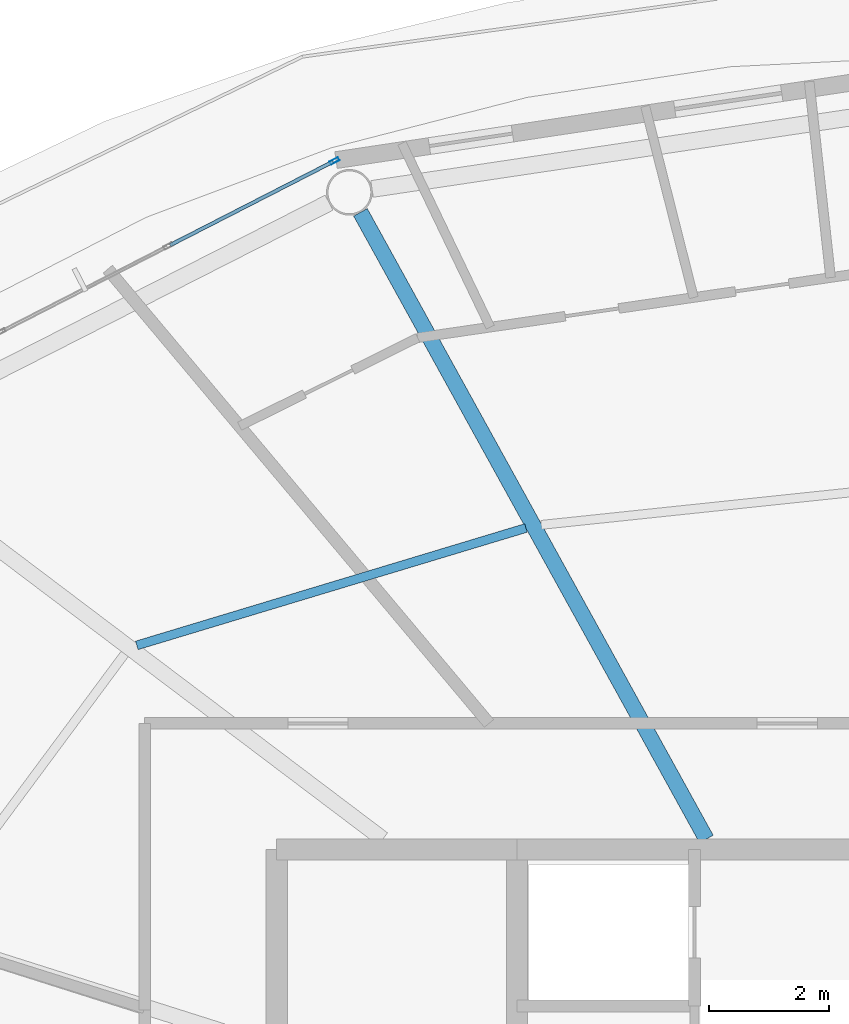
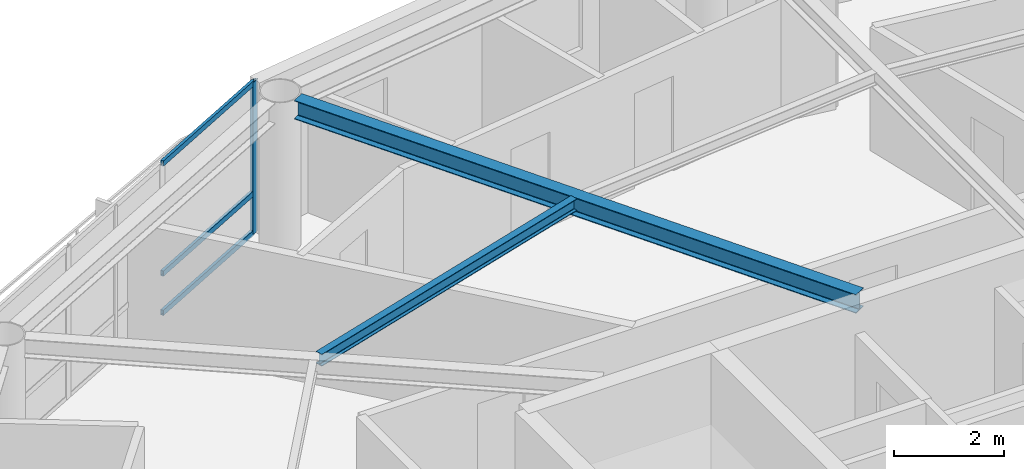
# One storey, part 9 of 23: 4 members, 2 beams, 1 element without a shape of its own.
"""IFC4 building model written with IfcOpenShell, lengths in metres."""

from ifc_helpers import new_model, si_unit, direction, frame, origin, origin_2d, place, context, subcontext, project, spatial, hollow_rectangle, i_section, extrude, material, layer, layer_set, material_profile, profile_set, type_object, element, aggregate, save


model = new_model("IFC4")

# Units and contexts
model_context = context("Model", 3, precision=1e-05, world=origin(), true_north=direction((0.0, 1.0)))
body_context = subcontext(model_context, "Body", "Model", "MODEL_VIEW")
ifc_project = project(units=[si_unit("LENGTHUNIT", "METRE"), si_unit("AREAUNIT", "SQUARE_METRE"), si_unit("VOLUMEUNIT", "CUBIC_METRE"), si_unit("PLANEANGLEUNIT", "RADIAN"), si_unit("MASSUNIT", "GRAM", prefix="KILO")], contexts=[model_context])

# Site, building, storey
site_placement = place(None, origin())
site = spatial("IfcSite", under=ifc_project, at=site_placement, CompositionType="ELEMENT")
building_placement = place(site_placement, origin())
building = spatial("IfcBuilding", under=site, at=building_placement, Name="Sarneth Arch Tower", CompositionType="ELEMENT")
storey_placement = place(building_placement, frame((0.0, 0.0, 265.800048828125)))
storey = spatial("IfcBuildingStorey", under=building, at=storey_placement, Name="L68", CompositionType="ELEMENT", Elevation=265.800048828125)

# Beams
ifc_material_1 = material(Name="Steel S355", Category="steel")
ifc_material_profile_1 = material_profile(ifc_material_1, i_section(OverallWidth=0.14794921875, OverallDepth=0.26611328125, WebThickness=0.007568359375, FlangeThickness=0.012939453125, FilletRadius=0.012939453125, at=origin_2d()), Name="W250x44.8")
ifc_profile_set_1 = profile_set([ifc_material_profile_1], Name="Steel S355")
beam_type_1 = type_object("IfcBeamType", Name="BM-JOIST-250", PredefinedType="JOIST", material=ifc_profile_set_1)
beam_1_placement = place(storey_placement, frame((41.147216796875, 54.15234375, 3.237060546875), z_axis=(-0.957373106971, -0.288854174367, 0.0), x_axis=(0.288854174367, -0.957373106971, 0.0)))
element("IfcBeam", 1, at=beam_1_placement, inside=storey, type_object=beam_type_1, Name="L68 Secondary floor joist 06", PredefinedType="JOIST", context=body_context, shape_type="SweptSolid", body=[
    extrude(i_section(OverallWidth=0.14794921875, OverallDepth=0.26611328125, WebThickness=0.007568359375, FlangeThickness=0.012939453125, FilletRadius=0.012939453125, at=origin_2d()), origin(), (0.0, 0.0, 1.0), 6.76416015625),
])
ifc_material_2 = material(Name="Steel S355", Category="steel")
ifc_material_profile_2 = material_profile(ifc_material_2, i_section(OverallWidth=0.260009765625, OverallDepth=0.4150390625, WebThickness=0.010009765625, FlangeThickness=0.016845703125, FilletRadius=0.01611328125, at=origin_2d()), Name="W410x100")
ifc_profile_set_2 = profile_set([ifc_material_profile_2], Name="Steel S355")
beam_type_2 = type_object("IfcBeamType", Name="BM-RAD-410A", PredefinedType="BEAM", material=ifc_profile_set_2)
beam_2_placement = place(storey_placement, frame((44.150146484375, 48.97509765625, 3.162353515625), z_axis=(-0.483231193732, 0.875492783182, 0.0), x_axis=(-0.875492783182, -0.483231193732, 0.0)))
element("IfcBeam", 2, at=beam_2_placement, inside=storey, type_object=beam_type_2, Name="L68 Radial floor girder 06", PredefinedType="BEAM", context=body_context, shape_type="SweptSolid", body=[
    extrude(i_section(OverallWidth=0.260009765625, OverallDepth=0.4150390625, WebThickness=0.010009765625, FlangeThickness=0.016845703125, FilletRadius=0.01611328125, at=origin_2d()), origin(), (0.0, 0.0, 1.0), 11.913330078125),
])

# Curtain wall, members
ifc_material_3 = material(Name="Anodised aluminium Type AA25 and solar-control low-e laminated IGU", Category="aluminium")
ifc_layer = layer(ifc_material_3, 0.179931640625)
ifc_layer_set = layer_set([ifc_layer], Name="Anodised aluminium Type AA25 and solar-control low-e laminated IGU")
curtain_wall_type = type_object("IfcCurtainWallType", Name="CW-RES-HIGH", PredefinedType="NOTDEFINED", material=ifc_layer_set)
curtain_wall_placement = place(storey_placement, origin())
curtain_wall = element("IfcCurtainWall", 3, at=curtain_wall_placement, inside=storey, type_object=curtain_wall_type, Name="L68 Unitised curtain wall facet 06", PredefinedType="NOTDEFINED")
ifc_material_4 = material(Name="Anodised Aluminium 6063-T6", Category="aluminium")
ifc_material_profile_3 = material_profile(ifc_material_4, hollow_rectangle(XDim=0.06005859375, YDim=0.159912109375, WallThickness=0.00390625, at=origin_2d()), Name="AL-MULL-160x60x4")
ifc_profile_set_3 = profile_set([ifc_material_profile_3], Name="Anodised Aluminium 6063-T6")
member_type_1 = type_object("IfcMemberType", Name="CW-MULLION", PredefinedType="MULLION", material=ifc_profile_set_3)
member_1_placement = place(storey_placement, frame((37.960693359375, 60.2607421875, 0.0), z_axis=(0.0, 0.0, 1.0), x_axis=(0.455941901753, -0.890009540525, 0.0)))
member_1 = element("IfcMember", 4, at=member_1_placement, type_object=member_type_1, Name="CW-SYS-6 mullion 1", PredefinedType="MULLION", context=body_context, shape_type="SweptSolid", body=[
    extrude(hollow_rectangle(XDim=0.06005859375, YDim=0.159912109375, WallThickness=0.00390625, at=origin_2d()), origin(), (0.0, 0.0, 1.0), 3.369873046875),
])
ifc_material_5 = material(Name="Anodised Aluminium 6063-T6", Category="aluminium")
ifc_material_profile_4 = material_profile(ifc_material_5, hollow_rectangle(XDim=0.06005859375, YDim=0.1201171875, WallThickness=0.00390625, at=origin_2d()), Name="AL-TRAN-120x60x4")
ifc_profile_set_4 = profile_set([ifc_material_profile_4], Name="Anodised Aluminium 6063-T6")
member_type_2 = type_object("IfcMemberType", Name="CW-TRANSOM", PredefinedType="USERDEFINED", material=ifc_profile_set_4)
member_2_placement = place(storey_placement, frame((37.933837890625, 60.2470703125, 0.030029296875), z_axis=(-0.889973523166, -0.456012201662, 0.0), x_axis=(0.456012201662, -0.889973523166, 0.0)))
member_2 = element("IfcMember", 5, at=member_2_placement, type_object=member_type_2, Name="CW-SYS-6 transom 1.1", ObjectType="TRANSOM", PredefinedType="USERDEFINED", context=body_context, shape_type="SweptSolid", body=[
    extrude(hollow_rectangle(XDim=0.06005859375, YDim=0.1201171875, WallThickness=0.00390625, at=origin_2d()), origin(), (0.0, 0.0, 1.0), 3.044677734375),
])
member_3_placement = place(storey_placement, frame((37.933837890625, 60.2470703125, 0.89990234375), z_axis=(-0.889973523166, -0.456012201662, 0.0), x_axis=(0.456012201662, -0.889973523166, 0.0)))
member_3 = element("IfcMember", 6, at=member_3_placement, type_object=member_type_2, Name="CW-SYS-6 transom 1.2", ObjectType="TRANSOM", PredefinedType="USERDEFINED", context=body_context, shape_type="SweptSolid", body=[
    extrude(hollow_rectangle(XDim=0.06005859375, YDim=0.1201171875, WallThickness=0.00390625, at=origin_2d()), origin(), (0.0, 0.0, 1.0), 3.044677734375),
])
member_4_placement = place(storey_placement, frame((37.933837890625, 60.2470703125, 3.33984375), z_axis=(-0.889973523166, -0.456012201662, 0.0), x_axis=(0.456012201662, -0.889973523166, 0.0)))
member_4 = element("IfcMember", 7, at=member_4_placement, type_object=member_type_2, Name="CW-SYS-6 transom 1.3", ObjectType="TRANSOM", PredefinedType="USERDEFINED", context=body_context, shape_type="SweptSolid", body=[
    extrude(hollow_rectangle(XDim=0.06005859375, YDim=0.1201171875, WallThickness=0.00390625, at=origin_2d()), origin(), (0.0, 0.0, 1.0), 3.044677734375),
])
aggregate(curtain_wall, [member_1, member_2, member_3, member_4])

save(model, "model.ifc")
